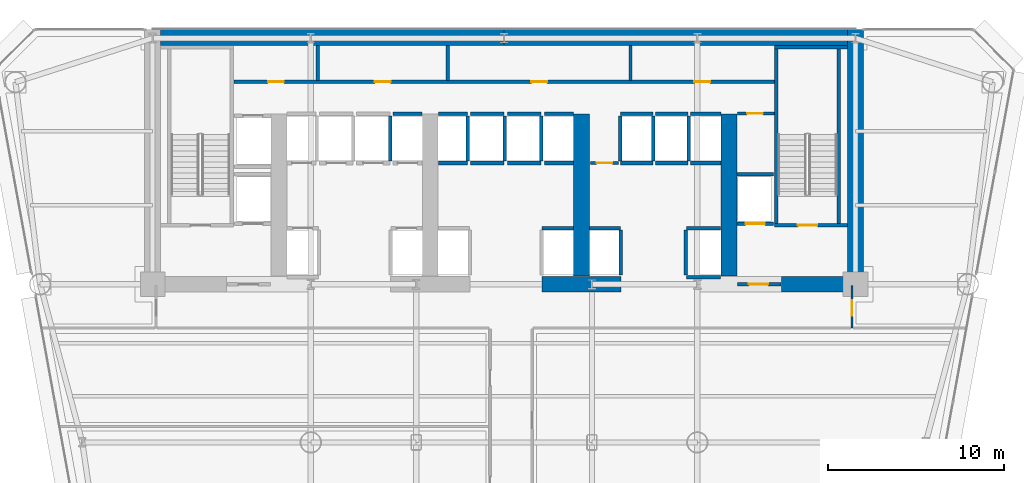
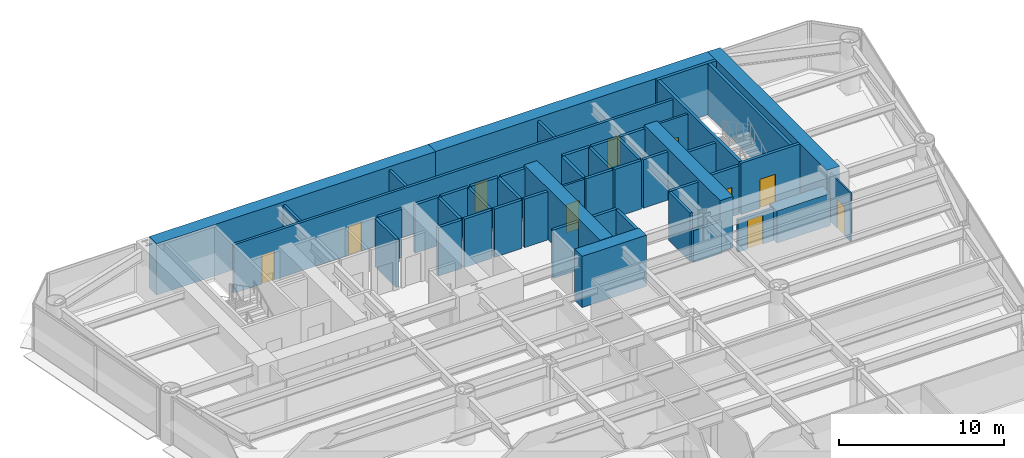
# One storey, part 9 of 14: 49 walls, 10 doors, 10 openings.
"""IFC4 building model written with IfcOpenShell, lengths in metres."""

from ifc_helpers import new_model, si_unit, direction, frame, frame_2d, origin, place, context, subcontext, project, spatial, rectangle, extrude, source, transform, mapped, material, layer, layer_set, type_object, element, fill, save


model = new_model("IFC4")

# Units and contexts
model_context = context("Model", 3, precision=1e-05, world=origin(), true_north=direction((0.0, 1.0)))
body_context = subcontext(model_context, "Body", "Model", "MODEL_VIEW")
ifc_project = project(units=[si_unit("LENGTHUNIT", "METRE"), si_unit("AREAUNIT", "SQUARE_METRE"), si_unit("VOLUMEUNIT", "CUBIC_METRE"), si_unit("PLANEANGLEUNIT", "RADIAN"), si_unit("MASSUNIT", "GRAM", prefix="KILO")], contexts=[model_context])

# Site, building, storey
site_placement = place(None, origin())
site = spatial("IfcSite", under=ifc_project, at=site_placement, CompositionType="ELEMENT")
building_placement = place(site_placement, origin())
building = spatial("IfcBuilding", under=site, at=building_placement, Name="Vaeldorn Concourse Tower", CompositionType="ELEMENT")
storey_placement = place(building_placement, frame((0.0, 0.0, 68.199951171875)))
storey = spatial("IfcBuildingStorey", under=building, at=storey_placement, Name="L17", CompositionType="ELEMENT", Elevation=68.199951171875)

# Walls
ifc_material_1 = material(Name="Concrete C60/75", Category="concrete")
ifc_layer_1 = layer(ifc_material_1, 0.89990234375)
ifc_layer_set_1 = layer_set([ifc_layer_1], Name="Concrete C60/75")
wall_type_1 = type_object("IfcWallType", Name="WL-CORE-900", PredefinedType="SHEAR", material=ifc_layer_set_1)
for number, where, z_axis, x_axis, name in (
    (1, (14.4541015625, 50.550048828125, 0.0), (0.0, 0.0, 1.0), (1.0, 0.0, 0.0), "Rear Core Shear Wall L17 N1"),
    (2, (34.001953125, 50.550048828125, 0.0), (0.0, 0.0, 1.0), (1.0, 0.0, 0.0), "Rear Core Shear Wall L17 N2"),
):
    element("IfcWall", number, at=place(storey_placement, frame(where, z_axis=z_axis, x_axis=x_axis)), inside=storey, type_object=wall_type_1, Name=name, PredefinedType="SHEAR", context=body_context, shape_type="SweptSolid", body=[
        extrude(rectangle(XDim=19.5439453125, YDim=0.89990234375, at=frame_2d((9.77197265625, 0.0))), origin(), (0.0, 0.0, 1.0), 3.800048828125),
    ])
wall_1_placement = place(storey_placement, frame((54.0, 36.5, 0.0), z_axis=(0.0, 0.0, 1.0), x_axis=(0.0, 1.0, 0.0)))
element("IfcWall", 3, at=wall_1_placement, inside=storey, type_object=wall_type_1, Name="Rear Core Shear Wall L17 E1", PredefinedType="SHEAR", context=body_context, shape_type="SweptSolid", body=[
    extrude(rectangle(XDim=14.5, YDim=0.89990234375, at=frame_2d((7.25, 0.0))), origin(), (0.0, 0.0, 1.0), 3.800048828125),
])
wall_2_placement = place(storey_placement, frame((36.14990234375, 36.5, 0.0), z_axis=(0.0, 0.0, 1.0), x_axis=(1.0, 0.0, 0.0)))
element("IfcWall", 4, at=wall_2_placement, inside=storey, type_object=wall_type_1, Name="Rear Core Shear Wall L17 S3", PredefinedType="SHEAR", context=body_context, shape_type="SweptSolid", body=[
    extrude(rectangle(XDim=4.5, YDim=0.89990234375, at=frame_2d((2.25, 0.0))), origin(), (0.0, 0.0, 1.0), 3.800048828125),
])
wall_3_placement = place(storey_placement, frame((49.800048828125, 36.5, 0.0), z_axis=(0.0, 0.0, 1.0), x_axis=(1.0, 0.0, 0.0)))
element("IfcWall", 5, at=wall_3_placement, inside=storey, type_object=wall_type_1, Name="Rear Core Shear Wall L17 S4", PredefinedType="SHEAR", context=body_context, shape_type="SweptSolid", body=[
    extrude(rectangle(XDim=3.72998046875, YDim=0.89990234375, at=frame_2d((1.864990234375, 0.0))), origin(), (0.0, 0.0, 1.0), 2.380126953125),
])
for number, where, z_axis, x_axis, name in (
    (6, (38.39990234375, 36.969970703125, 0.0), (0.0, 0.0, 1.0), (0.0, 1.0, 0.0), "Rear Core Shear Wall L17 M3"),
    (7, (46.800048828125, 36.969970703125, 0.0), (0.0, 0.0, 1.0), (0.0, 1.0, 0.0), "Rear Core Shear Wall L17 M4"),
):
    element("IfcWall", number, at=place(storey_placement, frame(where, z_axis=z_axis, x_axis=x_axis)), inside=storey, type_object=wall_type_1, Name=name, PredefinedType="SHEAR", context=body_context, shape_type="SweptSolid", body=[
        extrude(rectangle(XDim=9.22998046875, YDim=0.89990234375, at=frame_2d((4.614990234375, 0.0))), origin(), (0.0, 0.0, 1.0), 3.800048828125),
    ])

# Wall, opening, door
ifc_material_2 = material(Name="Gypsum Board Partition", Category="gypsum")
ifc_layer_2 = layer(ifc_material_2, 0.1201171875)
ifc_layer_set_2 = layer_set([ifc_layer_2], Name="Gypsum Board Partition")
wall_type_2 = type_object("IfcWallType", Name="WL-PART-120", PredefinedType="PARTITIONING", material=ifc_layer_set_2)
wall_4_placement = place(storey_placement, frame((53.800048828125, 34.0, 0.0), z_axis=(0.0, 0.0, 1.0), x_axis=(0.0, 1.0, 0.0)))
wall_4 = element("IfcWall", 8, at=wall_4_placement, inside=storey, type_object=wall_type_2, Name="Interior Wall PW-L17-C3E", PredefinedType="PARTITIONING", context=body_context, shape_type="SweptSolid", body=[
    extrude(rectangle(XDim=2.43994140625, YDim=0.1201171875, at=frame_2d((1.219970703125, 0.0))), origin(), (0.0, 0.0, 1.0), 3.580078125),
])
opening_1_placement = place(wall_4_placement, frame((0.699951171875, 0.0, 0.0)))
opening_1 = element("IfcOpeningElement", 9, at=opening_1_placement, cuts=wall_4, Name="Opening D-03", PredefinedType="OPENING", context=body_context, shape_type="SweptSolid", body=[
    extrude(rectangle(XDim=0.89990234375, YDim=2.14990234375, at=frame_2d((0.449951171875, 1.074951171875))), frame((0.0, 0.070068359375, 0.0), z_axis=(0.0, -1.0, 0.0), x_axis=(1.0, 0.0, 0.0)), (0.0, 0.0, 1.0), 0.14013671875),
])
ifc_material_3 = material(Name="Acoustic Bronze-Framed Glass Door", Category="glass")
door_type_1 = type_object("IfcDoorType", Name="DR-INT-900", OperationType="NOTDEFINED", PredefinedType="DOOR", material=ifc_material_3)
shared_shape_1 = source(origin(), body_context, "Body", "SweptSolid", [
    extrude(rectangle(XDim=0.89990234375, YDim=2.14990234375, at=frame_2d((0.449951171875, 1.074951171875))), frame((0.0, 0.02490234375, 0.0), z_axis=(0.0, -1.0, 0.0), x_axis=(1.0, 0.0, 0.0)), (0.0, 0.0, 1.0), 0.050048828125),
])
door_1_placement = place(opening_1_placement, origin())
door_1 = element("IfcDoor", 10, at=door_1_placement, inside=storey, type_object=door_type_1, Name="Interior Door DR-L17-Z3NE", OperationType="SINGLE_SWING_RIGHT", OverallHeight=2.14990234375, OverallWidth=0.89990234375, PredefinedType="DOOR", context=body_context, shape_type="MappedRepresentation", body=[
    mapped(shared_shape_1, transform((0.0, 0.0, 0.0), scale=1.0)),
])
fill(opening_1, door_1)

ifc_layer_3 = layer(ifc_material_2, 0.14990234375)
ifc_layer_set_3 = layer_set([ifc_layer_3], Name="Gypsum Board Partition")
wall_type_3 = type_object("IfcWallType", Name="WL-PART-150", PredefinedType="PARTITIONING", material=ifc_layer_set_3)
wall_5_placement = place(storey_placement, frame((47.280029296875, 46.219970703125, 0.0), z_axis=(0.0, 0.0, 1.0), x_axis=(1.0, 0.0, 0.0)))
wall_5 = element("IfcWall", 11, at=wall_5_placement, inside=storey, type_object=wall_type_3, Name="Interior Wall CW-L17-CRSE-N", PredefinedType="PARTITIONING", context=body_context, shape_type="SweptSolid", body=[
    extrude(rectangle(XDim=2.099853515625, YDim=0.14990234375, at=frame_2d((1.0498046875, 0.0))), origin(), (0.0, 0.0, 1.0), 3.580078125),
])
opening_2_placement = place(wall_5_placement, frame((0.550048828125, 0.0, 0.0)))
opening_2 = element("IfcOpeningElement", 12, at=opening_2_placement, cuts=wall_5, Name="Opening D-02", PredefinedType="OPENING", context=body_context, shape_type="SweptSolid", body=[
    extrude(rectangle(XDim=0.89990234375, YDim=2.10009765625, at=frame_2d((0.449951171875, 1.050048828125))), frame((0.0, 0.0849609375, 0.0), z_axis=(0.0, -1.0, 0.0), x_axis=(1.0, 0.0, 0.0)), (0.0, 0.0, 1.0), 0.169921875),
])
ifc_material_4 = material(Name="Fire-Rated Timber Leaf", Category="wood")
door_type_2 = type_object("IfcDoorType", Name="DR-FD30-900", OperationType="NOTDEFINED", PredefinedType="DOOR", material=ifc_material_4)
shared_shape_2 = source(origin(), body_context, "Body", "SweptSolid", [
    extrude(rectangle(XDim=0.89990234375, YDim=2.10009765625, at=frame_2d((0.449951171875, 1.050048828125))), frame((0.0, 0.02490234375, 0.0), z_axis=(0.0, -1.0, 0.0), x_axis=(1.0, 0.0, 0.0)), (0.0, 0.0, 1.0), 0.050048828125),
])
door_2_placement = place(opening_2_placement, origin())
door_2 = element("IfcDoor", 13, at=door_2_placement, inside=storey, type_object=door_type_2, Name="Interior Door DR-L17-CRSE", OperationType="SINGLE_SWING_RIGHT", OverallHeight=2.10009765625, OverallWidth=0.89990234375, PredefinedType="DOOR", context=body_context, shape_type="MappedRepresentation", body=[
    mapped(shared_shape_2, transform((0.0, 0.0, 0.0), scale=1.0)),
])
fill(opening_2, door_2)

wall_6_placement = place(storey_placement, frame((38.919921875, 43.39990234375, 0.0), z_axis=(0.0, 0.0, 1.0), x_axis=(1.0, 0.0, 0.0)))
wall_6 = element("IfcWall", 14, at=wall_6_placement, inside=storey, type_object=wall_type_3, Name="Interior Wall CW-L17-CCLINK", PredefinedType="PARTITIONING", context=body_context, shape_type="SweptSolid", body=[
    extrude(rectangle(XDim=1.60009765625, YDim=0.14990234375, at=frame_2d((0.800048828125, 0.0))), origin(), (0.0, 0.0, 1.0), 3.580078125),
])
opening_3_placement = place(wall_6_placement, frame((0.35009765625, 0.0, 0.0)))
opening_3 = element("IfcOpeningElement", 15, at=opening_3_placement, cuts=wall_6, Name="Opening D-02", PredefinedType="OPENING", context=body_context, shape_type="SweptSolid", body=[
    extrude(rectangle(XDim=0.89990234375, YDim=2.10009765625, at=frame_2d((0.449951171875, 1.050048828125))), frame((0.0, 0.0849609375, 0.0), z_axis=(0.0, -1.0, 0.0), x_axis=(1.0, 0.0, 0.0)), (0.0, 0.0, 1.0), 0.169921875),
])
door_3_placement = place(opening_3_placement, origin())
door_3 = element("IfcDoor", 16, at=door_3_placement, inside=storey, type_object=door_type_2, Name="Interior Door DR-L17-CCLINK", OperationType="SINGLE_SWING_LEFT", OverallHeight=2.10009765625, OverallWidth=0.89990234375, PredefinedType="DOOR", context=body_context, shape_type="MappedRepresentation", body=[
    mapped(shared_shape_2, transform((0.0, 0.0, 0.0), scale=1.0)),
])
fill(opening_3, door_3)

# Wall, openings, doors
ifc_layer_4 = layer(ifc_material_2, 0.179931640625)
ifc_layer_set_4 = layer_set([ifc_layer_4], Name="Gypsum Board Partition")
wall_type_4 = type_object("IfcWallType", Name="WL-PLUMB-180", PredefinedType="PLUMBINGWALL", material=ifc_layer_set_4)
wall_7_placement = place(storey_placement, frame((18.6201171875, 48.02001953125, 0.0), z_axis=(0.0, 0.0, 1.0), x_axis=(1.0, 0.0, 0.0)))
wall_7 = element("IfcWall", 17, at=wall_7_placement, inside=storey, type_object=wall_type_4, Name="Interior Wall CW-L17-NS0", PredefinedType="PLUMBINGWALL", context=body_context, shape_type="SweptSolid", body=[
    extrude(rectangle(XDim=30.759765625, YDim=0.179931640625, at=frame_2d((15.3798828125, 0.0))), origin(), (0.0, 0.0, 1.0), 3.580078125),
])
opening_4_placement = place(wall_7_placement, frame((1.955078125, 0.0, 0.0)))
opening_4 = element("IfcOpeningElement", 18, at=opening_4_placement, cuts=wall_7, Name="Opening D-03", PredefinedType="OPENING", context=body_context, shape_type="SweptSolid", body=[
    extrude(rectangle(XDim=0.89990234375, YDim=2.14990234375, at=frame_2d((0.449951171875, 1.074951171875))), frame((0.0, 0.10009765625, 0.0), z_axis=(0.0, -1.0, 0.0), x_axis=(1.0, 0.0, 0.0)), (0.0, 0.0, 1.0), 0.199951171875),
])
opening_5_placement = place(wall_7_placement, frame((8.030029296875, 0.0, 0.0)))
opening_5 = element("IfcOpeningElement", 19, at=opening_5_placement, cuts=wall_7, Name="Opening D-03", PredefinedType="OPENING", context=body_context, shape_type="SweptSolid", body=[
    extrude(rectangle(XDim=0.89990234375, YDim=2.14990234375, at=frame_2d((0.449951171875, 1.074951171875))), frame((0.0, 0.10009765625, 0.0), z_axis=(0.0, -1.0, 0.0), x_axis=(1.0, 0.0, 0.0)), (0.0, 0.0, 1.0), 0.199951171875),
])
opening_6_placement = place(wall_7_placement, frame((16.929931640625, 0.0, 0.0)))
opening_6 = element("IfcOpeningElement", 20, at=opening_6_placement, cuts=wall_7, Name="Opening D-03", PredefinedType="OPENING", context=body_context, shape_type="SweptSolid", body=[
    extrude(rectangle(XDim=0.89990234375, YDim=2.14990234375, at=frame_2d((0.449951171875, 1.074951171875))), frame((0.0, 0.10009765625, 0.0), z_axis=(0.0, -1.0, 0.0), x_axis=(1.0, 0.0, 0.0)), (0.0, 0.0, 1.0), 0.199951171875),
])
opening_7_placement = place(wall_7_placement, frame((26.205078125, 0.0, 0.0)))
opening_7 = element("IfcOpeningElement", 21, at=opening_7_placement, cuts=wall_7, Name="Opening D-03", PredefinedType="OPENING", context=body_context, shape_type="SweptSolid", body=[
    extrude(rectangle(XDim=0.89990234375, YDim=2.14990234375, at=frame_2d((0.449951171875, 1.074951171875))), frame((0.0, 0.10009765625, 0.0), z_axis=(0.0, -1.0, 0.0), x_axis=(1.0, 0.0, 0.0)), (0.0, 0.0, 1.0), 0.199951171875),
])
door_4_placement = place(opening_4_placement, origin())
door_4 = element("IfcDoor", 22, at=door_4_placement, inside=storey, type_object=door_type_1, Name="Interior Door DR-L17-CS1", OperationType="SINGLE_SWING_LEFT", OverallHeight=2.14990234375, OverallWidth=0.89990234375, PredefinedType="DOOR", context=body_context, shape_type="MappedRepresentation", body=[
    mapped(shared_shape_1, transform((0.0, 0.0, 0.0), scale=1.0)),
])
fill(opening_4, door_4)
door_5_placement = place(opening_5_placement, origin())
door_5 = element("IfcDoor", 23, at=door_5_placement, inside=storey, type_object=door_type_1, Name="Interior Door DR-L17-CS2", OperationType="SINGLE_SWING_RIGHT", OverallHeight=2.14990234375, OverallWidth=0.89990234375, PredefinedType="DOOR", context=body_context, shape_type="MappedRepresentation", body=[
    mapped(shared_shape_1, transform((0.0, 0.0, 0.0), scale=1.0)),
])
fill(opening_5, door_5)
door_6_placement = place(opening_6_placement, origin())
door_6 = element("IfcDoor", 24, at=door_6_placement, inside=storey, type_object=door_type_1, Name="Interior Door DR-L17-CS3", OperationType="SINGLE_SWING_LEFT", OverallHeight=2.14990234375, OverallWidth=0.89990234375, PredefinedType="DOOR", context=body_context, shape_type="MappedRepresentation", body=[
    mapped(shared_shape_1, transform((0.0, 0.0, 0.0), scale=1.0)),
])
fill(opening_6, door_6)
door_7_placement = place(opening_7_placement, origin())
door_7 = element("IfcDoor", 25, at=door_7_placement, inside=storey, type_object=door_type_1, Name="Interior Door DR-L17-CS4", OperationType="SINGLE_SWING_RIGHT", OverallHeight=2.14990234375, OverallWidth=0.89990234375, PredefinedType="DOOR", context=body_context, shape_type="MappedRepresentation", body=[
    mapped(shared_shape_1, transform((0.0, 0.0, 0.0), scale=1.0)),
])
fill(opening_7, door_7)

# Walls
for number, where, z_axis, x_axis, name in (
    (26, (23.39990234375, 48.10009765625, 0.0), (0.0, 0.0, 1.0), (0.0, 1.0, 0.0), "Interior Wall CW-L17-NDIV1"),
    (27, (30.800048828125, 48.10009765625, 0.0), (0.0, 0.0, 1.0), (0.0, 1.0, 0.0), "Interior Wall CW-L17-NDIV2"),
    (28, (41.199951171875, 48.10009765625, 0.0), (0.0, 0.0, 1.0), (0.0, 1.0, 0.0), "Interior Wall CW-L17-NDIV3"),
):
    element("IfcWall", number, at=place(storey_placement, frame(where, z_axis=z_axis, x_axis=x_axis)), inside=storey, type_object=wall_type_4, Name=name, PredefinedType="PLUMBINGWALL", context=body_context, shape_type="SweptSolid", body=[
        extrude(rectangle(XDim=1.97998046875, YDim=0.179931640625, at=frame_2d((0.989990234375, 0.0))), origin(), (0.0, 0.0, 1.0), 3.580078125),
    ])

# Wall, opening, door
ifc_material_5 = material(Name="Concrete C50/60", Category="concrete")
ifc_layer_5 = layer(ifc_material_5, 0.199951171875)
ifc_layer_set_5 = layer_set([ifc_layer_5], Name="Concrete C50/60")
wall_type_5 = type_object("IfcWallType", Name="WL-SHAFT-200", PredefinedType="SOLIDWALL", material=ifc_layer_set_5)
wall_8_placement = place(storey_placement, frame((49.39990234375, 39.85009765625, 0.0), z_axis=(0.0, 0.0, 1.0), x_axis=(1.0, 0.0, 0.0)))
wall_8 = element("IfcWall", 29, at=wall_8_placement, inside=storey, type_object=wall_type_5, Name="Stair Shaft Wall CW-L17-ST-2-S", PredefinedType="SOLIDWALL", context=body_context, shape_type="SweptSolid", body=[
    extrude(rectangle(XDim=4.150146484375, YDim=0.199951171875, at=frame_2d((2.0751953125, 0.0))), origin(), (0.0, 0.0, 1.0), 3.800048828125),
])
opening_8_placement = place(wall_8_placement, frame((1.324951171875, 0.0, 0.0)))
opening_8 = element("IfcOpeningElement", 30, at=opening_8_placement, cuts=wall_8, Name="Opening D-01", PredefinedType="OPENING", context=body_context, shape_type="SweptSolid", body=[
    extrude(rectangle(XDim=1.10009765625, YDim=2.14990234375, at=frame_2d((0.550048828125, 1.074951171875))), frame((0.0, 0.10986328125, 0.0), z_axis=(0.0, -1.0, 0.0), x_axis=(1.0, 0.0, 0.0)), (0.0, 0.0, 1.0), 0.219970703125),
])
ifc_material_6 = material(Name="Fire-Rated Timber and Steel Leaf", Category="steel")
door_type_3 = type_object("IfcDoorType", Name="DR-FD60-1100", OperationType="NOTDEFINED", PredefinedType="DOOR", material=ifc_material_6)
shared_shape_3 = source(origin(), body_context, "Body", "SweptSolid", [
    extrude(rectangle(XDim=1.10009765625, YDim=2.14990234375, at=frame_2d((0.550048828125, 1.074951171875))), frame((0.0, 0.02490234375, 0.0), z_axis=(0.0, -1.0, 0.0), x_axis=(1.0, 0.0, 0.0)), (0.0, 0.0, 1.0), 0.050048828125),
])
door_8_placement = place(opening_8_placement, origin())
door_8 = element("IfcDoor", 31, at=door_8_placement, inside=storey, type_object=door_type_3, Name="Interior Door DR-L17-ST-2", OperationType="SINGLE_SWING_RIGHT", OverallHeight=2.14990234375, OverallWidth=1.10009765625, PredefinedType="DOOR", context=body_context, shape_type="MappedRepresentation", body=[
    mapped(shared_shape_3, transform((0.0, 0.0, 0.0), scale=1.0)),
])
fill(opening_8, door_8)

# Walls
wall_9_placement = place(storey_placement, frame((49.39990234375, 50.0, 0.0), z_axis=(0.0, 0.0, 1.0), x_axis=(1.0, 0.0, 0.0)))
element("IfcWall", 32, at=wall_9_placement, inside=storey, type_object=wall_type_5, Name="Stair Shaft Wall CW-L17-ST-2-N", PredefinedType="SOLIDWALL", context=body_context, shape_type="SweptSolid", body=[
    extrude(rectangle(XDim=4.150146484375, YDim=0.199951171875, at=frame_2d((2.0751953125, 0.0))), origin(), (0.0, 0.0, 1.0), 3.800048828125),
])
for number, where, z_axis, x_axis, name in (
    (33, (49.5, 39.9599609375, 0.0), (0.0, 0.0, 1.0), (0.0, 1.0, 0.0), "Stair Shaft Wall CW-L17-ST-2-W"),
    (34, (53.050048828125, 39.9599609375, 0.0), (0.0, 0.0, 1.0), (0.0, 1.0, 0.0), "Stair Shaft Wall CW-L17-ST-2-E"),
):
    element("IfcWall", number, at=place(storey_placement, frame(where, z_axis=z_axis, x_axis=x_axis)), inside=storey, type_object=wall_type_5, Name=name, PredefinedType="SOLIDWALL", context=body_context, shape_type="SweptSolid", body=[
        extrude(rectangle(XDim=9.929931640625, YDim=0.199951171875, at=frame_2d((4.96484375, 0.0))), origin(), (0.0, 0.0, 1.0), 3.800048828125),
    ])

# Wall, opening, door
wall_10_placement = place(storey_placement, frame((47.280029296875, 36.5, 0.0), z_axis=(0.0, 0.0, 1.0), x_axis=(1.0, 0.0, 0.0)))
wall_10 = element("IfcWall", 35, at=wall_10_placement, inside=storey, type_object=wall_type_5, Name="Interior Wall CW-L17-FF2S", PredefinedType="SOLIDWALL", context=body_context, shape_type="SweptSolid", body=[
    extrude(rectangle(XDim=2.469970703125, YDim=0.199951171875, at=frame_2d((1.23486328125, 0.0))), origin(), (0.0, 0.0, 1.0), 2.3701171875),
])
opening_9_placement = place(wall_10_placement, frame((0.64990234375, 0.0, 0.0)))
opening_9 = element("IfcOpeningElement", 36, at=opening_9_placement, cuts=wall_10, Name="Opening D-01", PredefinedType="OPENING", context=body_context, shape_type="SweptSolid", body=[
    extrude(rectangle(XDim=1.10009765625, YDim=2.14990234375, at=frame_2d((0.550048828125, 1.074951171875))), frame((0.0, 0.10986328125, 0.0), z_axis=(0.0, -1.0, 0.0), x_axis=(1.0, 0.0, 0.0)), (0.0, 0.0, 1.0), 0.219970703125),
])
door_9_placement = place(opening_9_placement, origin())
door_9 = element("IfcDoor", 37, at=door_9_placement, inside=storey, type_object=door_type_3, Name="Interior Door DR-L17-FF2W", OperationType="SINGLE_SWING_LEFT", OverallHeight=2.14990234375, OverallWidth=1.10009765625, PredefinedType="DOOR", context=body_context, shape_type="MappedRepresentation", body=[
    mapped(shared_shape_3, transform((0.0, 0.0, 0.0), scale=1.0)),
])
fill(opening_9, door_9)

# Walls
wall_11_placement = place(storey_placement, frame((27.530029296875, 43.52001953125, 0.0), z_axis=(0.0, 0.0, 1.0), x_axis=(0.0, 1.0, 0.0)))
element("IfcWall", 38, at=wall_11_placement, inside=storey, type_object=wall_type_5, Name="Interior Wall CW-L17-LFE-LF-05", PredefinedType="SOLIDWALL", context=body_context, shape_type="SweptSolid", body=[
    extrude(rectangle(XDim=2.56005859375, YDim=0.199951171875, at=frame_2d((1.280029296875, 0.0))), origin(), (0.0, 0.0, 1.0), 3.580078125),
])
wall_12_placement = place(storey_placement, frame((27.68994140625, 46.199951171875, 0.0), z_axis=(0.0, 0.0, 1.0), x_axis=(1.0, 0.0, 0.0)))
element("IfcWall", 39, at=wall_12_placement, inside=storey, type_object=wall_type_5, Name="Interior Wall CW-L17-LFB-LF-06", PredefinedType="SOLIDWALL", context=body_context, shape_type="SweptSolid", body=[
    extrude(rectangle(XDim=1.650146484375, YDim=0.199951171875, at=frame_2d((0.8251953125, 0.0))), origin(), (0.0, 0.0, 1.0), 3.580078125),
])
wall_13_placement = place(storey_placement, frame((36.169921875, 39.699951171875, 0.0), z_axis=(0.0, 0.0, 1.0), x_axis=(1.0, 0.0, 0.0)))
element("IfcWall", 40, at=wall_13_placement, inside=storey, type_object=wall_type_5, Name="Interior Wall CW-L17-LF-LF-08", PredefinedType="SOLIDWALL", context=body_context, shape_type="SweptSolid", body=[
    extrude(rectangle(XDim=1.77001953125, YDim=0.199951171875, at=frame_2d((0.885009765625, 0.0))), origin(), (0.0, 0.0, 1.0), 3.580078125),
])
for number, where, z_axis, x_axis, name in (
    (41, (30.260009765625, 43.39990234375, 0.0), (0.0, 0.0, 1.0), (1.0, 0.0, 0.0), "Interior Wall CW-L17-LF-LF-09"),
    (42, (30.260009765625, 46.199951171875, 0.0), (0.0, 0.0, 1.0), (1.0, 0.0, 0.0), "Interior Wall CW-L17-LFB-LF-09"),
):
    element("IfcWall", number, at=place(storey_placement, frame(where, z_axis=z_axis, x_axis=x_axis)), inside=storey, type_object=wall_type_5, Name=name, PredefinedType="SOLIDWALL", context=body_context, shape_type="SweptSolid", body=[
        extrude(rectangle(XDim=1.64990234375, YDim=0.199951171875, at=frame_2d((0.824951171875, 0.0))), origin(), (0.0, 0.0, 1.0), 3.580078125),
    ])
wall_14_placement = place(storey_placement, frame((31.929931640625, 43.52001953125, 0.0), z_axis=(0.0, 0.0, 1.0), x_axis=(0.0, 1.0, 0.0)))
element("IfcWall", 43, at=wall_14_placement, inside=storey, type_object=wall_type_5, Name="Interior Wall CW-L17-LFE-LF-09", PredefinedType="SOLIDWALL", context=body_context, shape_type="SweptSolid", body=[
    extrude(rectangle(XDim=2.56005859375, YDim=0.199951171875, at=frame_2d((1.280029296875, 0.0))), origin(), (0.0, 0.0, 1.0), 3.580078125),
])
for number, where, z_axis, x_axis, name in (
    (44, (32.090087890625, 43.39990234375, 0.0), (0.0, 0.0, 1.0), (1.0, 0.0, 0.0), "Interior Wall CW-L17-LF-LF-10"),
    (45, (32.090087890625, 46.199951171875, 0.0), (0.0, 0.0, 1.0), (1.0, 0.0, 0.0), "Interior Wall CW-L17-LFB-LF-10"),
):
    element("IfcWall", number, at=place(storey_placement, frame(where, z_axis=z_axis, x_axis=x_axis)), inside=storey, type_object=wall_type_5, Name=name, PredefinedType="SOLIDWALL", context=body_context, shape_type="SweptSolid", body=[
        extrude(rectangle(XDim=1.919921875, YDim=0.199951171875, at=frame_2d((0.9599609375, 0.0))), origin(), (0.0, 0.0, 1.0), 3.580078125),
    ])
wall_15_placement = place(storey_placement, frame((34.030029296875, 43.52001953125, 0.0), z_axis=(0.0, 0.0, 1.0), x_axis=(0.0, 1.0, 0.0)))
element("IfcWall", 46, at=wall_15_placement, inside=storey, type_object=wall_type_5, Name="Interior Wall CW-L17-LFE-LF-10", PredefinedType="SOLIDWALL", context=body_context, shape_type="SweptSolid", body=[
    extrude(rectangle(XDim=2.56005859375, YDim=0.199951171875, at=frame_2d((1.280029296875, 0.0))), origin(), (0.0, 0.0, 1.0), 3.580078125),
])
for number, where, z_axis, x_axis, name in (
    (47, (34.18994140625, 43.39990234375, 0.0), (0.0, 0.0, 1.0), (1.0, 0.0, 0.0), "Interior Wall CW-L17-LF-LF-11"),
    (48, (34.18994140625, 46.199951171875, 0.0), (0.0, 0.0, 1.0), (1.0, 0.0, 0.0), "Interior Wall CW-L17-LFB-LF-11"),
):
    element("IfcWall", number, at=place(storey_placement, frame(where, z_axis=z_axis, x_axis=x_axis)), inside=storey, type_object=wall_type_5, Name=name, PredefinedType="SOLIDWALL", context=body_context, shape_type="SweptSolid", body=[
        extrude(rectangle(XDim=1.920166015625, YDim=0.199951171875, at=frame_2d((0.9599609375, 0.0))), origin(), (0.0, 0.0, 1.0), 3.580078125),
    ])
wall_16_placement = place(storey_placement, frame((36.1298828125, 43.52001953125, 0.0), z_axis=(0.0, 0.0, 1.0), x_axis=(0.0, 1.0, 0.0)))
element("IfcWall", 49, at=wall_16_placement, inside=storey, type_object=wall_type_5, Name="Interior Wall CW-L17-LFE-LF-11", PredefinedType="SOLIDWALL", context=body_context, shape_type="SweptSolid", body=[
    extrude(rectangle(XDim=2.56005859375, YDim=0.199951171875, at=frame_2d((1.280029296875, 0.0))), origin(), (0.0, 0.0, 1.0), 3.580078125),
])
for number, where, z_axis, x_axis, name in (
    (50, (36.2900390625, 43.39990234375, 0.0), (0.0, 0.0, 1.0), (1.0, 0.0, 0.0), "Interior Wall CW-L17-LF-LF-12"),
    (51, (36.2900390625, 46.199951171875, 0.0), (0.0, 0.0, 1.0), (1.0, 0.0, 0.0), "Interior Wall CW-L17-LFB-LF-12"),
):
    element("IfcWall", number, at=place(storey_placement, frame(where, z_axis=z_axis, x_axis=x_axis)), inside=storey, type_object=wall_type_5, Name=name, PredefinedType="SOLIDWALL", context=body_context, shape_type="SweptSolid", body=[
        extrude(rectangle(XDim=1.64990234375, YDim=0.199951171875, at=frame_2d((0.824951171875, 0.0))), origin(), (0.0, 0.0, 1.0), 3.580078125),
    ])
wall_17_placement = place(storey_placement, frame((38.860107421875, 39.699951171875, 0.0), z_axis=(0.0, 0.0, 1.0), x_axis=(1.0, 0.0, 0.0)))
element("IfcWall", 52, at=wall_17_placement, inside=storey, type_object=wall_type_5, Name="Interior Wall CW-L17-LF-LF-13", PredefinedType="SOLIDWALL", context=body_context, shape_type="SweptSolid", body=[
    extrude(rectangle(XDim=1.769775390625, YDim=0.199951171875, at=frame_2d((0.884765625, 0.0))), origin(), (0.0, 0.0, 1.0), 3.580078125),
])
wall_18_placement = place(storey_placement, frame((40.64990234375, 37.02001953125, 0.0), z_axis=(0.0, 0.0, 1.0), x_axis=(0.0, 1.0, 0.0)))
element("IfcWall", 53, at=wall_18_placement, inside=storey, type_object=wall_type_5, Name="Interior Wall CW-L17-LFE-LF-13", PredefinedType="SOLIDWALL", context=body_context, shape_type="SweptSolid", body=[
    extrude(rectangle(XDim=2.56005859375, YDim=0.199951171875, at=frame_2d((1.280029296875, 0.0))), origin(), (0.0, 0.0, 1.0), 3.580078125),
])
wall_19_placement = place(storey_placement, frame((44.3701171875, 39.699951171875, 0.0), z_axis=(0.0, 0.0, 1.0), x_axis=(1.0, 0.0, 0.0)))
element("IfcWall", 54, at=wall_19_placement, inside=storey, type_object=wall_type_5, Name="Interior Wall CW-L17-LF-LF-14", PredefinedType="SOLIDWALL", context=body_context, shape_type="SweptSolid", body=[
    extrude(rectangle(XDim=1.9599609375, YDim=0.199951171875, at=frame_2d((0.97998046875, 0.0))), origin(), (0.0, 0.0, 1.0), 3.580078125),
])
wall_20_placement = place(storey_placement, frame((44.3701171875, 36.89990234375, 0.0), z_axis=(0.0, 0.0, 1.0), x_axis=(1.0, 0.0, 0.0)))
element("IfcWall", 55, at=wall_20_placement, inside=storey, type_object=wall_type_5, Name="Interior Wall CW-L17-LFB-LF-14", PredefinedType="SOLIDWALL", context=body_context, shape_type="SweptSolid", body=[
    extrude(rectangle(XDim=1.9599609375, YDim=0.199951171875, at=frame_2d((0.97998046875, 0.0))), origin(), (0.0, 0.0, 1.0), 2.3701171875),
])
wall_21_placement = place(storey_placement, frame((44.35009765625, 37.02001953125, 0.0), z_axis=(0.0, 0.0, 1.0), x_axis=(0.0, 1.0, 0.0)))
element("IfcWall", 56, at=wall_21_placement, inside=storey, type_object=wall_type_5, Name="Interior Wall CW-L17-LFW-LF-14", PredefinedType="SOLIDWALL", context=body_context, shape_type="SweptSolid", body=[
    extrude(rectangle(XDim=2.56005859375, YDim=0.199951171875, at=frame_2d((1.280029296875, 0.0))), origin(), (0.0, 0.0, 1.0), 3.580078125),
])
for number, where, z_axis, x_axis, name in (
    (57, (40.6201171875, 43.39990234375, 0.0), (0.0, 0.0, 1.0), (1.0, 0.0, 0.0), "Interior Wall CW-L17-LF-LF-15"),
    (58, (40.6201171875, 46.199951171875, 0.0), (0.0, 0.0, 1.0), (1.0, 0.0, 0.0), "Interior Wall CW-L17-LFB-LF-15"),
):
    element("IfcWall", number, at=place(storey_placement, frame(where, z_axis=z_axis, x_axis=x_axis)), inside=storey, type_object=wall_type_5, Name=name, PredefinedType="SOLIDWALL", context=body_context, shape_type="SweptSolid", body=[
        extrude(rectangle(XDim=1.85986328125, YDim=0.199951171875, at=frame_2d((0.929931640625, 0.0))), origin(), (0.0, 0.0, 1.0), 3.580078125),
    ])
for number, where, z_axis, x_axis, name in (
    (59, (40.60009765625, 43.52001953125, 0.0), (0.0, 0.0, 1.0), (0.0, 1.0, 0.0), "Interior Wall CW-L17-LFW-LF-15"),
    (60, (42.5, 43.52001953125, 0.0), (0.0, 0.0, 1.0), (0.0, 1.0, 0.0), "Interior Wall CW-L17-LFE-LF-15"),
):
    element("IfcWall", number, at=place(storey_placement, frame(where, z_axis=z_axis, x_axis=x_axis)), inside=storey, type_object=wall_type_5, Name=name, PredefinedType="SOLIDWALL", context=body_context, shape_type="SweptSolid", body=[
        extrude(rectangle(XDim=2.56005859375, YDim=0.199951171875, at=frame_2d((1.280029296875, 0.0))), origin(), (0.0, 0.0, 1.0), 3.580078125),
    ])
for number, where, z_axis, x_axis, name in (
    (61, (42.6201171875, 43.39990234375, 0.0), (0.0, 0.0, 1.0), (1.0, 0.0, 0.0), "Interior Wall CW-L17-LF-LF-16"),
    (62, (42.6201171875, 46.199951171875, 0.0), (0.0, 0.0, 1.0), (1.0, 0.0, 0.0), "Interior Wall CW-L17-LFB-LF-16"),
):
    element("IfcWall", number, at=place(storey_placement, frame(where, z_axis=z_axis, x_axis=x_axis)), inside=storey, type_object=wall_type_5, Name=name, PredefinedType="SOLIDWALL", context=body_context, shape_type="SweptSolid", body=[
        extrude(rectangle(XDim=1.85986328125, YDim=0.199951171875, at=frame_2d((0.929931640625, 0.0))), origin(), (0.0, 0.0, 1.0), 3.580078125),
    ])
wall_22_placement = place(storey_placement, frame((44.5, 43.52001953125, 0.0), z_axis=(0.0, 0.0, 1.0), x_axis=(0.0, 1.0, 0.0)))
element("IfcWall", 63, at=wall_22_placement, inside=storey, type_object=wall_type_5, Name="Interior Wall CW-L17-LFE-LF-16", PredefinedType="SOLIDWALL", context=body_context, shape_type="SweptSolid", body=[
    extrude(rectangle(XDim=2.56005859375, YDim=0.199951171875, at=frame_2d((1.280029296875, 0.0))), origin(), (0.0, 0.0, 1.0), 3.580078125),
])
for number, where, z_axis, x_axis, name in (
    (64, (44.6201171875, 43.39990234375, 0.0), (0.0, 0.0, 1.0), (1.0, 0.0, 0.0), "Interior Wall CW-L17-LF-LF-17"),
    (65, (44.6201171875, 46.199951171875, 0.0), (0.0, 0.0, 1.0), (1.0, 0.0, 0.0), "Interior Wall CW-L17-LFB-LF-17"),
):
    element("IfcWall", number, at=place(storey_placement, frame(where, z_axis=z_axis, x_axis=x_axis)), inside=storey, type_object=wall_type_5, Name=name, PredefinedType="SOLIDWALL", context=body_context, shape_type="SweptSolid", body=[
        extrude(rectangle(XDim=1.719970703125, YDim=0.199951171875, at=frame_2d((0.85986328125, 0.0))), origin(), (0.0, 0.0, 1.0), 3.580078125),
    ])

# Wall, opening, door
wall_23_placement = place(storey_placement, frame((47.260009765625, 39.949951171875, 0.0), z_axis=(0.0, 0.0, 1.0), x_axis=(1.0, 0.0, 0.0)))
wall_23 = element("IfcWall", 66, at=wall_23_placement, inside=storey, type_object=wall_type_5, Name="Interior Wall CW-L17-LF-LF-FF2", PredefinedType="SOLIDWALL", context=body_context, shape_type="SweptSolid", body=[
    extrude(rectangle(XDim=2.070068359375, YDim=0.199951171875, at=frame_2d((1.03515625, 0.0))), origin(), (0.0, 0.0, 1.0), 3.580078125),
])
opening_10_placement = place(wall_23_placement, frame((0.485107421875, 0.0, 0.0)))
opening_10 = element("IfcOpeningElement", 67, at=opening_10_placement, cuts=wall_23, Name="Opening LD-1", PredefinedType="OPENING", context=body_context, shape_type="SweptSolid", body=[
    extrude(rectangle(XDim=1.10009765625, YDim=2.14990234375, at=frame_2d((0.550048828125, 1.074951171875))), frame((0.0, 0.10986328125, 0.0), z_axis=(0.0, -1.0, 0.0), x_axis=(1.0, 0.0, 0.0)), (0.0, 0.0, 1.0), 0.219970703125),
])
ifc_material_7 = material(Name="Anodised Bronze Aluminium", Category="aluminium")
door_type_4 = type_object("IfcDoorType", Name="DR-LIFT-SLIDE-1100", OperationType="DOUBLE_DOOR_SLIDING", PredefinedType="DOOR", material=ifc_material_7)
door_10_placement = place(opening_10_placement, origin())
door_10 = element("IfcDoor", 68, at=door_10_placement, inside=storey, type_object=door_type_4, Name="Lift Landing Door LD-L17-LF-FF2", OperationType="DOUBLE_DOOR_SLIDING", OverallHeight=2.14990234375, OverallWidth=1.10009765625, PredefinedType="DOOR", context=body_context, shape_type="MappedRepresentation", body=[
    mapped(shared_shape_3, transform((0.0, 0.0, 0.0), scale=1.0)),
])
fill(opening_10, door_10)

# Wall
wall_24_placement = place(storey_placement, frame((47.260009765625, 42.75, 0.0), z_axis=(0.0, 0.0, 1.0), x_axis=(1.0, 0.0, 0.0)))
element("IfcWall", 69, at=wall_24_placement, inside=storey, type_object=wall_type_5, Name="Interior Wall CW-L17-LFB-LF-FF2", PredefinedType="SOLIDWALL", context=body_context, shape_type="SweptSolid", body=[
    extrude(rectangle(XDim=2.070068359375, YDim=0.199951171875, at=frame_2d((1.03515625, 0.0))), origin(), (0.0, 0.0, 1.0), 3.580078125),
])

save(model, "model.ifc")
